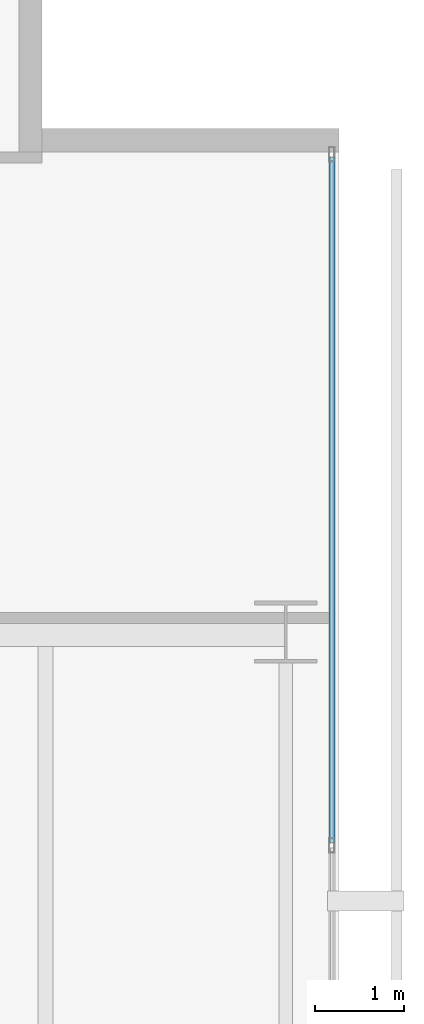
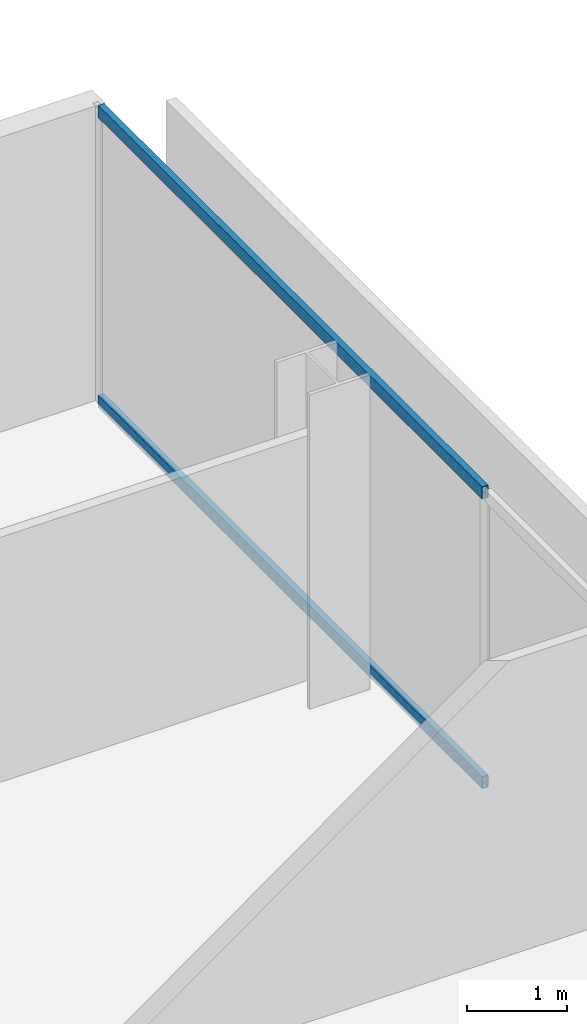
# One storey, part 29 of 41: 2 members, 1 element without a shape of its own.
"""IFC4 building model written with IfcOpenShell, lengths in metres."""

from ifc_helpers import new_model, si_unit, direction, frame, origin, origin_2d, place, context, subcontext, project, spatial, hollow_rectangle, extrude, material, layer, layer_set, material_profile, profile_set, type_object, element, aggregate, save


model = new_model("IFC4")

# Units and contexts
model_context = context("Model", 3, precision=1e-05, world=origin(), true_north=direction((0.0, 1.0)))
body_context = subcontext(model_context, "Body", "Model", "MODEL_VIEW")
ifc_project = project(units=[si_unit("LENGTHUNIT", "METRE"), si_unit("AREAUNIT", "SQUARE_METRE"), si_unit("VOLUMEUNIT", "CUBIC_METRE"), si_unit("PLANEANGLEUNIT", "RADIAN"), si_unit("MASSUNIT", "GRAM", prefix="KILO")], contexts=[model_context])

# Site, building, storey
site_placement = place(None, origin())
site = spatial("IfcSite", under=ifc_project, at=site_placement, CompositionType="ELEMENT")
building_placement = place(site_placement, origin())
building = spatial("IfcBuilding", under=site, at=building_placement, Name="Maruvema Waterfront Hotel and Observation Tower", CompositionType="ELEMENT")
storey_placement = place(building_placement, frame((0.0, 0.0, 84.699951171875)))
storey = spatial("IfcBuildingStorey", under=building, at=storey_placement, Name="L20", CompositionType="ELEMENT", Elevation=84.699951171875)

# Curtain wall, members
ifc_material_1 = material(Name="Anodised bronze aluminium and solar-control low-E IGU", Category="aluminium")
ifc_layer = layer(ifc_material_1, 0.159912109375, Name="Zone 1 Bronze Inner Thermal Curtain Wall System CW-02")
ifc_layer_set = layer_set([ifc_layer], Name="Anodised bronze aluminium and solar-control low-E IGU")
curtain_wall_type = type_object("IfcCurtainWallType", Name="Zone 1 Bronze Inner Thermal Curtain Wall System CW-02", PredefinedType="USERDEFINED", material=ifc_layer_set)
curtain_wall_placement = place(storey_placement, origin())
curtain_wall = element("IfcCurtainWall", 1, at=curtain_wall_placement, inside=storey, type_object=curtain_wall_type, Name="L20 Curtain Wall CW-L20-E", ObjectType="UNITISED CURTAIN WALL", PredefinedType="USERDEFINED")
ifc_material_2 = material(Name="Anodised architectural bronze aluminium", Category="aluminium")
ifc_material_profile = material_profile(ifc_material_2, hollow_rectangle(XDim=0.070068359375, YDim=0.14990234375, WallThickness=0.00390625, at=origin_2d()), Name="ALU-T70x150")
ifc_profile_set = profile_set([ifc_material_profile], Name="Anodised architectural bronze aluminium")
member_type = type_object("IfcMemberType", Name="Curtain Wall Horizontal Transom ALU-T70x150", PredefinedType="USERDEFINED", material=ifc_profile_set)
member_1_placement = place(storey_placement, frame((64.719970703125, 42.6298828125, 0.030029296875), z_axis=(0.0, 1.0, 0.0), x_axis=(-1.0, 0.0, 0.0)))
member_1 = element("IfcMember", 2, at=member_1_placement, type_object=member_type, Name="CW-02 transom 6.1", ObjectType="TRANSOM", PredefinedType="USERDEFINED", context=body_context, shape_type="SweptSolid", body=[
    extrude(hollow_rectangle(XDim=0.070068359375, YDim=0.14990234375, WallThickness=0.00390625, at=origin_2d()), origin(), (0.0, 0.0, 1.0), 7.710205078125),
])
member_2_placement = place(storey_placement, frame((64.719970703125, 42.6298828125, 3.580078125), z_axis=(0.0, 1.0, 0.0), x_axis=(-1.0, 0.0, 0.0)))
member_2 = element("IfcMember", 3, at=member_2_placement, type_object=member_type, Name="CW-02 transom 6.2", ObjectType="TRANSOM", PredefinedType="USERDEFINED", context=body_context, shape_type="SweptSolid", body=[
    extrude(hollow_rectangle(XDim=0.070068359375, YDim=0.14990234375, WallThickness=0.00390625, at=origin_2d()), origin(), (0.0, 0.0, 1.0), 7.710205078125),
])
aggregate(curtain_wall, [member_1, member_2])

save(model, "model.ifc")
